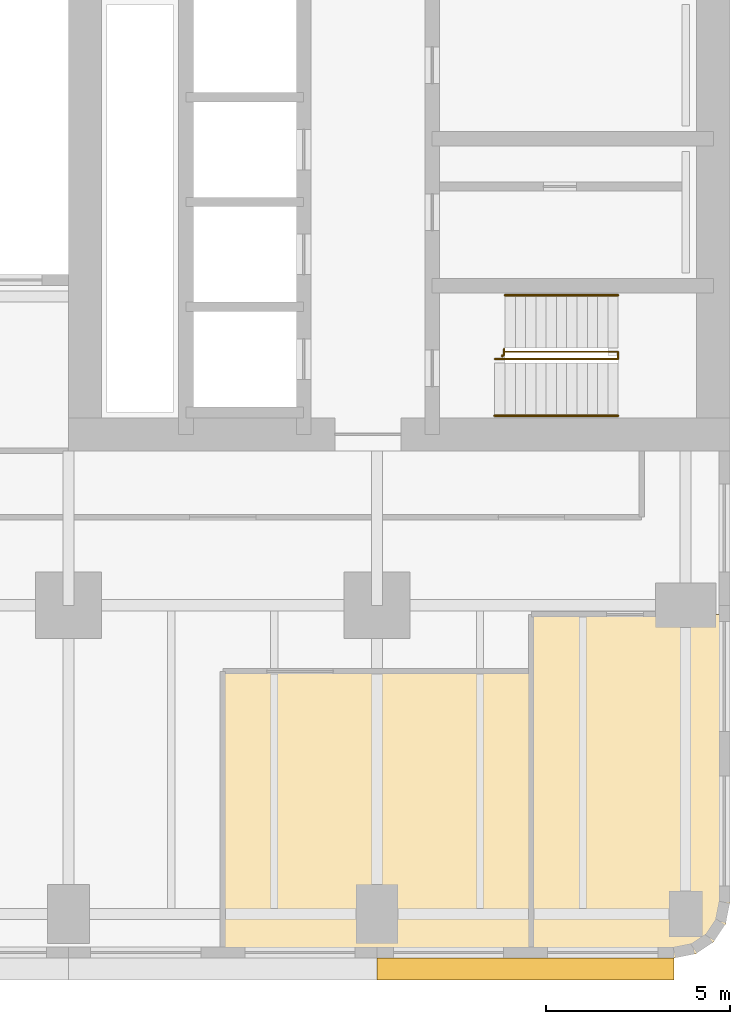
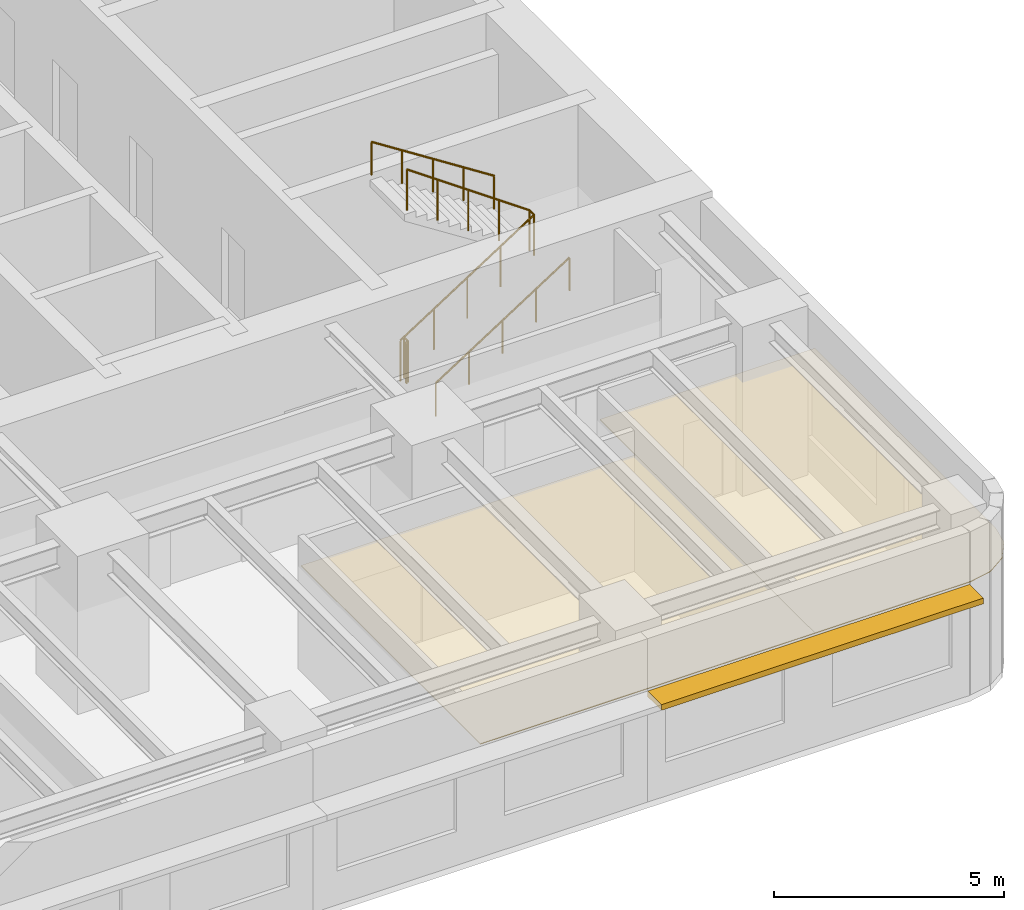
# One storey, part 11 of 14: 4 railings, 2 coverings, 1 shading device.
"""IFC4 building model written with IfcOpenShell, lengths in metres."""

from ifc_helpers import new_model, si_unit, direction, frame, origin, origin_2d, place, context, subcontext, project, spatial, polyline, rectangle, circle, outline, extrude, material, layer, layer_set, type_object, element, save


model = new_model("IFC4")

# Units and contexts
model_context = context("Model", 3, precision=1e-05, world=origin(), true_north=direction((0.0, 1.0)))
body_context = subcontext(model_context, "Body", "Model", "MODEL_VIEW")
ifc_project = project(units=[si_unit("LENGTHUNIT", "METRE"), si_unit("AREAUNIT", "SQUARE_METRE"), si_unit("VOLUMEUNIT", "CUBIC_METRE"), si_unit("PLANEANGLEUNIT", "RADIAN"), si_unit("MASSUNIT", "GRAM", prefix="KILO")], contexts=[model_context])

# Site, building, storey
site_placement = place(None, origin())
site = spatial("IfcSite", under=ifc_project, at=site_placement, CompositionType="ELEMENT")
building_placement = place(site_placement, origin())
building = spatial("IfcBuilding", under=site, at=building_placement, Name="Claustro Exchange Tower", CompositionType="ELEMENT")
storey_placement = place(building_placement, frame((0.0, 0.0, 77.39990234375)))
storey = spatial("IfcBuildingStorey", under=building, at=storey_placement, Name="L17", CompositionType="ELEMENT", Elevation=77.39990234375)

# Coverings
ifc_material_1 = material(Name="Gypsum board ceiling", Category="gypsum board")
ifc_layer_1 = layer(ifc_material_1, 0.02490234375)
ifc_layer_set_1 = layer_set([ifc_layer_1], Name="Gypsum board ceiling")
covering_type = type_object("IfcCoveringType", Name="CL2 plasterboard ceiling", PredefinedType="CEILING", material=ifc_layer_set_1)
covering_1_placement = place(storey_placement, frame((0.0, 0.0, 3.0)))
element("IfcCovering", 1, at=covering_1_placement, inside=storey, type_object=covering_type, Name="Ceiling CL2 L17-04", PredefinedType="CEILING", context=body_context, shape_type="SweptSolid", body=[
    extrude(outline(polyline([(37.800048828125, -1.199951171875), (46.199951171875, -1.199951171875), (46.199951171875, 6.60009765625), (37.800048828125, 6.60009765625), (37.800048828125, -1.199951171875)])), origin(), (0.0, 0.0, 1.0), 0.025146484375),
])
covering_2_placement = place(storey_placement, frame((0.0, 0.0, 3.0)))
element("IfcCovering", 2, at=covering_2_placement, inside=storey, type_object=covering_type, Name="Ceiling CL2 L17-06", PredefinedType="CEILING", context=body_context, shape_type="SweptSolid", body=[
    extrude(outline(polyline([(51.60009765625, 0.300048828125), (51.60009765625, 8.14990234375), (46.199951171875, 8.14990234375), (46.199951171875, -1.199951171875), (50.10009765625, -1.199951171875), (50.674072265625, -1.085693359375), (51.16064453125, -0.7607421875), (51.48583984375, -0.27392578125), (51.60009765625, 0.300048828125)])), origin(), (0.0, 0.0, 1.0), 0.025146484375),
])

# Railings
ifc_material_2 = material(Name="Steel balustrade, painted", Category="steel")
railing_type_1 = type_object("IfcRailingType", Name="GR2 1100 steel stair guard", PredefinedType="GUARDRAIL", material=ifc_material_2)
railing_1_placement = place(storey_placement, frame((45.199951171875, 15.10009765625, 0.18017578125)))
element("IfcRailing", 3, at=railing_1_placement, inside=storey, type_object=railing_type_1, Name="Stair well guard GR2 stair STEA L17", PredefinedType="GUARDRAIL", context=body_context, shape_type="SweptSolid", body=[
    extrude(circle(Radius=0.02392578125, at=origin_2d()), frame((0.0, 0.0, 1.076171875), z_axis=(0.84119634759, 0.0, 0.540729789082), x_axis=(0.0, 1.0, 0.0)), (0.0, 0.0, 1.0), 3.994384765625),
    extrude(circle(Radius=0.02392578125, at=origin_2d()), frame((3.360107421875, 0.0, 3.23583984375), z_axis=(0.0, 1.0, 0.0), x_axis=(-1.0, 0.0, 0.0)), (0.0, 0.0, 1.0), 0.199951171875),
    extrude(circle(Radius=0.02392578125, at=origin_2d()), frame((3.360107421875, 0.199951171875, 3.23583984375), z_axis=(-0.8187499073, 0.0, 0.574150319426), x_axis=(0.0, -1.0, 0.0)), (0.0, 0.0, 1.0), 3.761962890625),
    extrude(circle(Radius=0.02099609375, at=origin_2d()), origin(), (0.0, 0.0, 1.0), 1.052001953125),
    extrude(circle(Radius=0.02099609375, at=origin_2d()), frame((0.840087890625, 0.0, 0.5400390625)), (0.0, 0.0, 1.0), 1.052001953125),
    extrude(circle(Radius=0.02099609375, at=origin_2d()), frame((1.68017578125, 0.0, 1.080078125)), (0.0, 0.0, 1.0), 1.052001953125),
    extrude(circle(Radius=0.02099609375, at=origin_2d()), frame((2.52001953125, 0.0, 1.619873046875)), (0.0, 0.0, 1.0), 1.052001953125),
    extrude(circle(Radius=0.02099609375, at=origin_2d()), frame((3.360107421875, 0.0, 2.159912109375)), (0.0, 0.0, 1.0), 1.052001953125),
    extrude(circle(Radius=0.02099609375, at=origin_2d()), frame((3.360107421875, 0.199951171875, 2.159912109375)), (0.0, 0.0, 1.0), 1.052001953125),
    extrude(circle(Radius=0.02099609375, at=origin_2d()), frame((2.590087890625, 0.199951171875, 2.699951171875)), (0.0, 0.0, 1.0), 1.052001953125),
    extrude(circle(Radius=0.02099609375, at=origin_2d()), frame((1.820068359375, 0.199951171875, 3.23974609375)), (0.0, 0.0, 1.0), 1.052001953125),
    extrude(circle(Radius=0.02099609375, at=origin_2d()), frame((1.050048828125, 0.199951171875, 3.77978515625)), (0.0, 0.0, 1.0), 1.052001953125),
    extrude(circle(Radius=0.02099609375, at=origin_2d()), frame((0.280029296875, 0.199951171875, 4.31982421875)), (0.0, 0.0, 1.0), 1.052001953125),
])
railing_2_placement = place(storey_placement, frame((45.39990234375, 15.169921875, 0.0)))
element("IfcRailing", 4, at=railing_2_placement, inside=storey, type_object=railing_type_1, Name="Stair guard GR2 STEA L17", PredefinedType="GUARDRAIL", context=body_context, shape_type="SweptSolid", body=[
    extrude(circle(Radius=0.02392578125, at=origin_2d()), frame((0.0, 0.0, 1.076171875), z_axis=(0.0, 1.0, 0.0), x_axis=(-1.0, 0.0, 0.0)), (0.0, 0.0, 1.0), 0.030029296875),
    extrude(circle(Radius=0.02392578125, at=origin_2d()), frame((0.0, 0.030029296875, 1.076171875), z_axis=(1.0, 0.0, 0.0), x_axis=(0.0, 1.0, 0.0)), (0.0, 0.0, 1.0), 0.05517578125),
    extrude(circle(Radius=0.02392578125, at=origin_2d()), frame((0.05517578125, 0.030029296875, 1.076171875), z_axis=(0.0, 1.0, 0.0), x_axis=(-1.0, 0.0, 0.0)), (0.0, 0.0, 1.0), 0.179931640625),
    extrude(circle(Radius=0.02099609375, at=origin_2d()), origin(), (0.0, 0.0, 1.0), 1.052001953125),
    extrude(circle(Radius=0.02099609375, at=origin_2d()), frame((0.0, 0.030029296875, 0.0)), (0.0, 0.0, 1.0), 1.052001953125),
    extrude(circle(Radius=0.02099609375, at=origin_2d()), frame((0.05517578125, 0.030029296875, 0.0)), (0.0, 0.0, 1.0), 1.052001953125),
    extrude(circle(Radius=0.02099609375, at=origin_2d()), frame((0.05517578125, 0.2099609375, 0.0)), (0.0, 0.0, 1.0), 1.052001953125),
])
ifc_material_3 = material(Name="Stainless steel tube", Category="steel")
railing_type_2 = type_object("IfcRailingType", Name="HR1 900 stair handrail", PredefinedType="HANDRAIL", material=ifc_material_3)
railing_3_placement = place(storey_placement, frame((45.199951171875, 13.56005859375, 0.18017578125)))
element("IfcRailing", 5, at=railing_3_placement, inside=storey, type_object=railing_type_2, Name="Handrail HR1 stair STEA L17", PredefinedType="HANDRAIL", context=body_context, shape_type="SweptSolid", body=[
    extrude(circle(Radius=0.02392578125, at=origin_2d()), frame((0.0, 0.0, 0.8759765625), z_axis=(0.84119634759, 0.0, 0.540729789082), x_axis=(0.0, 1.0, 0.0)), (0.0, 0.0, 1.0), 3.994384765625),
    extrude(circle(Radius=0.02099609375, at=origin_2d()), origin(), (0.0, 0.0, 1.0), 0.851806640625),
    extrude(circle(Radius=0.02099609375, at=origin_2d()), frame((0.840087890625, 0.0, 0.5400390625)), (0.0, 0.0, 1.0), 0.851806640625),
    extrude(circle(Radius=0.02099609375, at=origin_2d()), frame((1.68017578125, 0.0, 1.080078125)), (0.0, 0.0, 1.0), 0.851806640625),
    extrude(circle(Radius=0.02099609375, at=origin_2d()), frame((2.52001953125, 0.0, 1.619873046875)), (0.0, 0.0, 1.0), 0.851806640625),
    extrude(circle(Radius=0.02099609375, at=origin_2d()), frame((3.360107421875, 0.0, 2.159912109375)), (0.0, 0.0, 1.0), 0.851806640625),
])
railing_4_placement = place(storey_placement, frame((48.56005859375, 16.840087890625, 2.52001953125)))
element("IfcRailing", 6, at=railing_4_placement, inside=storey, type_object=railing_type_2, Name="Handrail HR1 stair STEA L17", PredefinedType="HANDRAIL", context=body_context, shape_type="SweptSolid", body=[
    extrude(circle(Radius=0.02392578125, at=origin_2d()), frame((0.0, 0.0, 0.8759765625), z_axis=(-0.84118714077, 0.0, 0.540744111576), x_axis=(0.0, -1.0, 0.0)), (0.0, 0.0, 1.0), 3.66162109375),
    extrude(circle(Radius=0.02099609375, at=origin_2d()), origin(), (0.0, 0.0, 1.0), 0.851806640625),
    extrude(circle(Radius=0.02099609375, at=origin_2d()), frame((-0.77001953125, 0.0, 0.4951171875)), (0.0, 0.0, 1.0), 0.851806640625),
    extrude(circle(Radius=0.02099609375, at=origin_2d()), frame((-1.5400390625, 0.0, 0.989990234375)), (0.0, 0.0, 1.0), 0.851806640625),
    extrude(circle(Radius=0.02099609375, at=origin_2d()), frame((-2.31005859375, 0.0, 1.48486328125)), (0.0, 0.0, 1.0), 0.851806640625),
    extrude(circle(Radius=0.02099609375, at=origin_2d()), frame((-3.080078125, 0.0, 1.97998046875)), (0.0, 0.0, 1.0), 0.851806640625),
])

# Shading device
ifc_material_4 = material(Name="Concrete HA-40 (C40/50), precast, white cement, acid-etched", Category="concrete")
ifc_layer_2 = layer(ifc_material_4, 0.14990234375)
ifc_layer_set_2 = layer_set([ifc_layer_2], Name="Concrete HA-40 (C40/50), precast, white cement, acid-etched")
shading_device_type = type_object("IfcShadingDeviceType", Name="SS1 600 precast concrete SUNSHADE", PredefinedType="SHUTTER", material=ifc_layer_set_2)
shading_device_placement = place(storey_placement, frame((46.04248046875, -1.5, 2.800048828125), z_axis=(0.0, 0.0, 1.0), x_axis=(-1.0, 0.0, 0.0)))
element("IfcShadingDevice", 7, at=shading_device_placement, inside=storey, type_object=shading_device_type, Name="Precast SUNSHADE SS1 L17", PredefinedType="SHUTTER", context=body_context, shape_type="SweptSolid", body=[
    extrude(rectangle(XDim=8.085205078125, YDim=0.60009765625, at=origin_2d()), origin(), (0.0, 0.0, 1.0), 0.14990234375),
])

save(model, "model.ifc")
